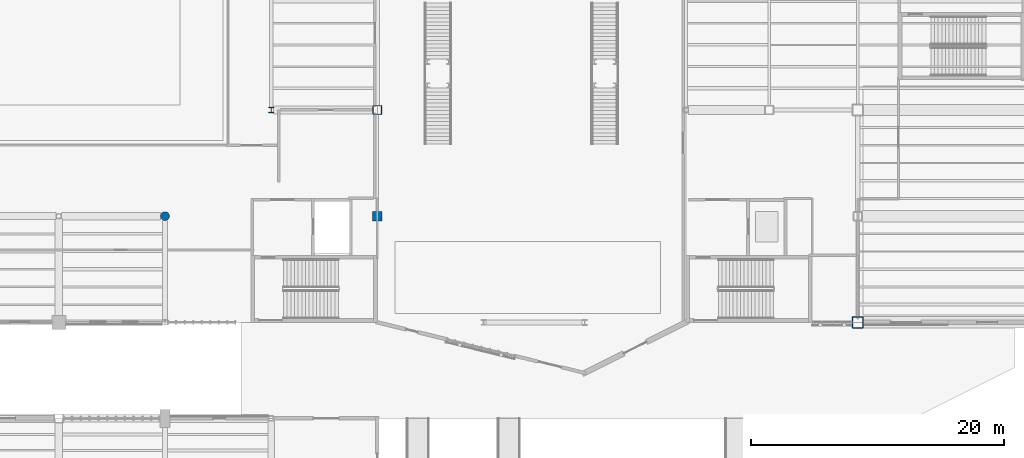
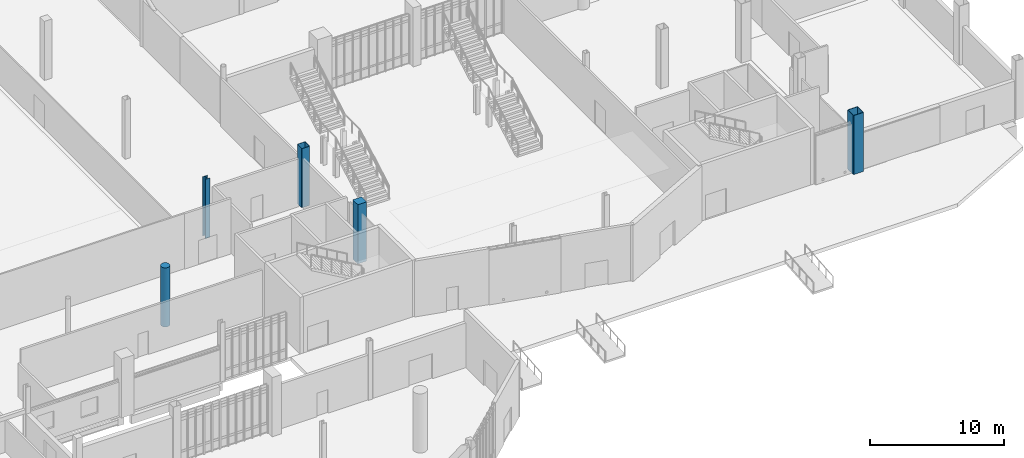
# One storey, part 5 of 111: 5 columns.
"""IFC4 building model written with IfcOpenShell, lengths in metres."""

from ifc_helpers import new_model, si_unit, direction, frame, origin, origin_2d, place, context, subcontext, project, spatial, rectangle, hollow_rectangle, circle, i_section, extrude, material, material_profile, profile_set, type_object, element, save


model = new_model("IFC4")

# Units and contexts
model_context = context("Model", 3, precision=1e-05, world=origin(), true_north=direction((0.0, 1.0)))
body_context = subcontext(model_context, "Body", "Model", "MODEL_VIEW")
ifc_project = project(units=[si_unit("LENGTHUNIT", "METRE"), si_unit("AREAUNIT", "SQUARE_METRE"), si_unit("VOLUMEUNIT", "CUBIC_METRE"), si_unit("PLANEANGLEUNIT", "RADIAN"), si_unit("MASSUNIT", "GRAM", prefix="KILO")], contexts=[model_context])

# Site, building, storey
site_placement = place(None, origin())
site = spatial("IfcSite", under=ifc_project, at=site_placement, CompositionType="ELEMENT")
building_placement = place(site_placement, origin())
building = spatial("IfcBuilding", under=site, at=building_placement, Name="Larkvane Passage Sports Hall", CompositionType="ELEMENT")
storey_placement = place(building_placement, origin())
storey = spatial("IfcBuildingStorey", under=building, at=storey_placement, Name="L00", CompositionType="ELEMENT", Elevation=0.0)

# Columns
ifc_material_1 = material(Name="Concrete C40/50", Category="concrete")
ifc_material_profile_1 = material_profile(ifc_material_1, circle(Radius=0.35009765625, at=origin_2d()), Name="RC-CIR-700")
ifc_profile_set_1 = profile_set([ifc_material_profile_1], Name="Concrete C40/50")
column_type_1 = type_object("IfcColumnType", Name="COL-CIR-700", PredefinedType="COLUMN", material=ifc_profile_set_1)
column_1_placement = place(storey_placement, frame((76.800048828125, 31.199951171875, 0.0), z_axis=(0.0, 0.0, 1.0), x_axis=(1.0, 0.0, 0.0)))
element("IfcColumn", 1, at=column_1_placement, inside=storey, type_object=column_type_1, Name="Column 11/E L00", PredefinedType="COLUMN", context=body_context, shape_type="SweptSolid", body=[
    extrude(circle(Radius=0.35009765625, at=origin_2d()), origin(), (0.0, 0.0, 1.0), 5.39990234375),
])
ifc_material_profile_2 = material_profile(ifc_material_1, rectangle(XDim=0.75, YDim=0.75, at=origin_2d()), Name="RC-COL-750x750")
ifc_profile_set_2 = profile_set([ifc_material_profile_2], Name="Concrete C40/50")
column_type_2 = type_object("IfcColumnType", Name="COL-RC-750", PredefinedType="COLUMN", material=ifc_profile_set_2)
column_2_placement = place(storey_placement, frame((93.60009765625, 31.199951171875, 0.0), z_axis=(0.0, 0.0, 1.0), x_axis=(1.0, 0.0, 0.0)))
element("IfcColumn", 2, at=column_2_placement, inside=storey, type_object=column_type_2, Name="Column 13/E L00", PredefinedType="COLUMN", context=body_context, shape_type="SweptSolid", body=[
    extrude(rectangle(XDim=0.75, YDim=0.75, at=origin_2d()), origin(), (0.0, 0.0, 1.0), 5.39990234375),
])
ifc_material_2 = material(Name="Steel S460N", Category="steel")
ifc_material_profile_3 = material_profile(ifc_material_2, hollow_rectangle(XDim=0.699951171875, YDim=0.699951171875, WallThickness=0.028076171875, InnerFilletRadius=0.028076171875, OuterFilletRadius=0.055908203125, at=origin_2d()), Name="BOX-700x700x28")
ifc_profile_set_3 = profile_set([ifc_material_profile_3], Name="Steel S460N")
column_type_3 = type_object("IfcColumnType", Name="COL-STL-BOX700", PredefinedType="COLUMN", material=ifc_profile_set_3)
column_3_placement = place(storey_placement, frame((93.60009765625, 39.60009765625, 0.0), z_axis=(0.0, 0.0, 1.0), x_axis=(1.0, 0.0, 0.0)))
element("IfcColumn", 3, at=column_3_placement, inside=storey, type_object=column_type_3, Name="Column 13/F L00", PredefinedType="COLUMN", context=body_context, shape_type="SweptSolid", body=[
    extrude(hollow_rectangle(XDim=0.699951171875, YDim=0.699951171875, WallThickness=0.028076171875, InnerFilletRadius=0.028076171875, OuterFilletRadius=0.055908203125, at=origin_2d()), origin(), (0.0, 0.0, 1.0), 5.39990234375),
])
ifc_material_profile_4 = material_profile(ifc_material_2, hollow_rectangle(XDim=0.89990234375, YDim=0.89990234375, WallThickness=0.035888671875, InnerFilletRadius=0.035888671875, OuterFilletRadius=0.072021484375, at=origin_2d()), Name="BOX-900x900x36")
ifc_profile_set_4 = profile_set([ifc_material_profile_4], Name="Steel S460N")
column_type_4 = type_object("IfcColumnType", Name="COL-STL-BOX900", PredefinedType="COLUMN", material=ifc_profile_set_4)
column_4_placement = place(storey_placement, frame((131.60009765625, 22.800048828125, 0.0), z_axis=(0.0, 0.0, 1.0), x_axis=(1.0, 0.0, 0.0)))
element("IfcColumn", 4, at=column_4_placement, inside=storey, type_object=column_type_4, Name="Column 18/D L00", PredefinedType="COLUMN", context=body_context, shape_type="SweptSolid", body=[
    extrude(hollow_rectangle(XDim=0.89990234375, YDim=0.89990234375, WallThickness=0.035888671875, InnerFilletRadius=0.035888671875, OuterFilletRadius=0.072021484375, at=origin_2d()), origin(), (0.0, 0.0, 1.0), 5.39990234375),
])
ifc_material_profile_5 = material_profile(ifc_material_2, i_section(OverallWidth=0.405029296875, OverallDepth=0.4140625, WebThickness=0.01806640625, FlangeThickness=0.028076171875, FilletRadius=0.02197265625, at=origin_2d()), Name="H-414x405x18x28")
ifc_profile_set_5 = profile_set([ifc_material_profile_5], Name="Steel S460N")
column_type_5 = type_object("IfcColumnType", Name="COL-STL-H414", PredefinedType="COLUMN", material=ifc_profile_set_5)
column_5_placement = place(storey_placement, frame((85.199951171875, 39.60009765625, 0.0), z_axis=(0.0, 0.0, 1.0), x_axis=(1.0, 0.0, 0.0)))
element("IfcColumn", 5, at=column_5_placement, inside=storey, type_object=column_type_5, Name="Column 12/F L00", PredefinedType="COLUMN", context=body_context, shape_type="SweptSolid", body=[
    extrude(i_section(OverallWidth=0.405029296875, OverallDepth=0.4140625, WebThickness=0.01806640625, FlangeThickness=0.028076171875, FilletRadius=0.02197265625, at=origin_2d()), origin(), (0.0, 0.0, 1.0), 5.39990234375),
])

save(model, "model.ifc")
